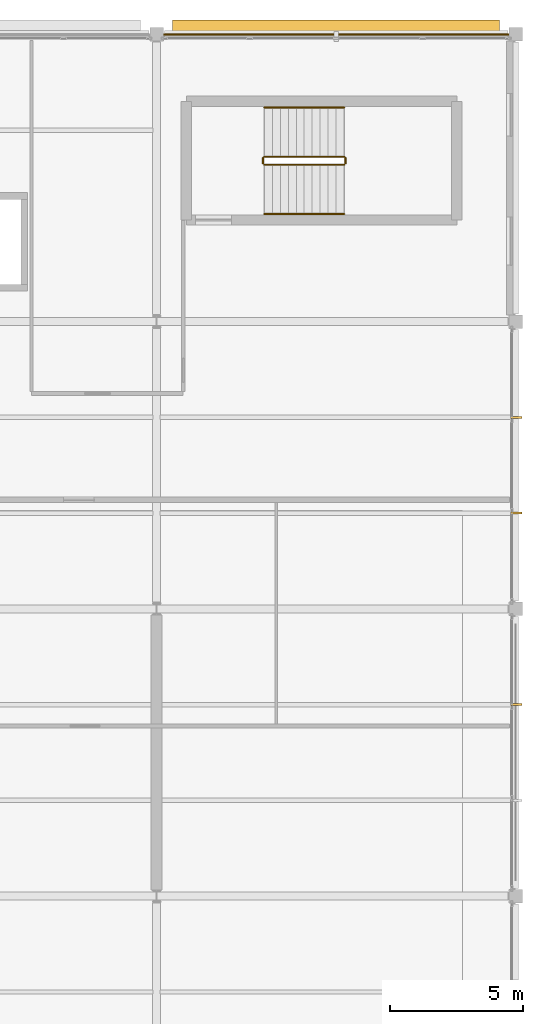
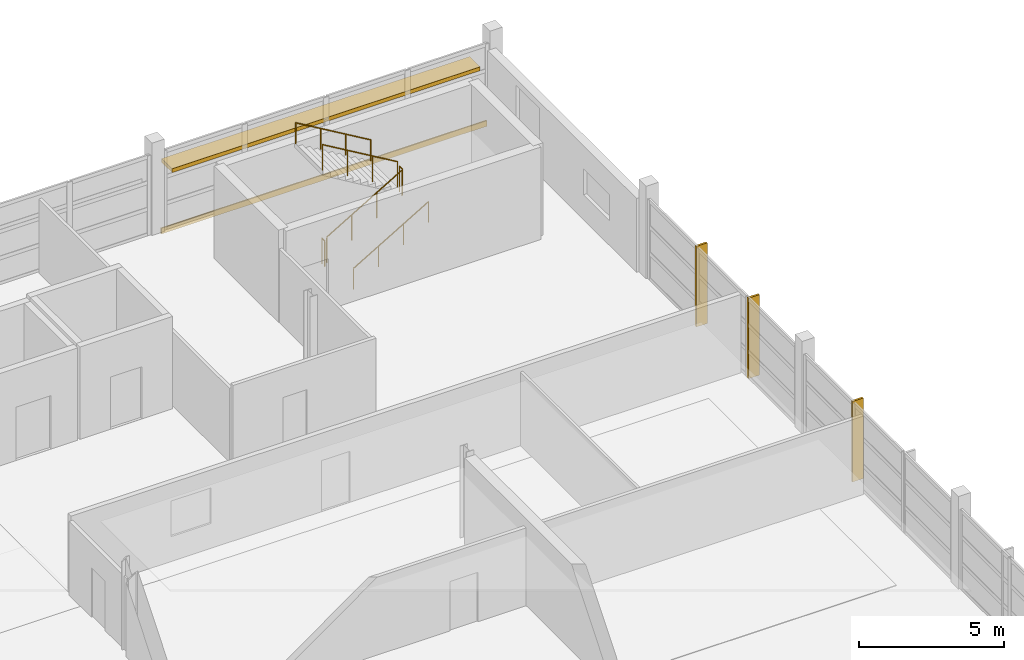
# One storey, part 110 of 110: 6 railings, 4 shading devices, 1 covering.
"""IFC4 building model written with IfcOpenShell, lengths in metres."""

import ifcopenshell
import ifcopenshell.guid

model = None  # the IFC model being written
_history = None  # IfcOwnerHistory: only IFC2X3 demands one
_inside = {}  # id of a spatial element -> (the spatial element, [elements in it])
_under = {}  # id of a project, library or spatial element -> (it, [spatial elements below it])
_declared = {}  # id of a project -> (the project, [libraries it declares])
_typed = {}  # id of a type object -> (the type object, [elements of that type])
_made_of = {}  # id of a material, layer set ... -> (it, [elements and type objects made of it])


def new_model(schema):
    """Start an empty IFC model of exactly this schema.

    Asked for "IFC4X3", IfcOpenShell would pick the latest addendum, in which some entities
    have other attributes; the version numbers below select the first issue.
    IFC2X3 requires an IfcOwnerHistory on every rooted entity: one is made here for all.
    """
    global model, _history
    if schema == "IFC4X3":
        model = ifcopenshell.file(schema_version=(4, 3, 0, 0))
    else:
        model = ifcopenshell.file(schema=schema)
    _inside.clear()
    _under.clear()
    _declared.clear()
    _typed.clear()
    _made_of.clear()
    _history = None
    if model.schema == "IFC2X3":
        org = make("IfcOrganization", Name="unknown")
        user = make(
            "IfcPersonAndOrganization",
            ThePerson=make("IfcPerson", FamilyName="unknown"),
            TheOrganization=org,
        )
        app = make(
            "IfcApplication",
            ApplicationDeveloper=org,
            Version="unknown",
            ApplicationFullName="unknown",
            ApplicationIdentifier="unknown",
        )
        _history = make(
            "IfcOwnerHistory",
            OwningUser=user,
            OwningApplication=app,
            ChangeAction="ADDED",
            CreationDate=0,
        )
    return model


def make(cls, **values):
    """One entity of the class cls with the attributes given. An attribute that is None is left unset."""
    return model.create_entity(
        cls, **{name: value for name, value in values.items() if value is not None}
    )


def rooted(cls, **values):
    """An entity with a GlobalId (a new one), such as an element, a storey or a relation."""
    return make(cls, GlobalId=ifcopenshell.guid.new(), OwnerHistory=_history, **values)


def si_unit(unit_type, name, prefix=None):
    """IfcSIUnit, for example si_unit("LENGTHUNIT", "METRE", prefix="MILLI")."""
    return make("IfcSIUnit", UnitType=unit_type, Prefix=prefix, Name=name)


def assignment(units):
    """IfcUnitAssignment: the units of a project."""
    return None if units is None else make("IfcUnitAssignment", Units=units)


def point(xyz):
    """IfcCartesianPoint."""
    return None if xyz is None else make("IfcCartesianPoint", Coordinates=xyz)


def direction(xyz):
    """IfcDirection."""
    return None if xyz is None else make("IfcDirection", DirectionRatios=xyz)


def frame(location, z_axis=None, x_axis=None):
    """IfcAxis2Placement3D, a coordinate frame: its origin and axes. An axis left out is left unset."""
    return make(
        "IfcAxis2Placement3D",
        Location=point(location),
        Axis=direction(z_axis),
        RefDirection=direction(x_axis),
    )


def frame_2d(location, x_axis=None):
    """IfcAxis2Placement2D, a coordinate frame in the plane: its origin and x axis."""
    return make(
        "IfcAxis2Placement2D", Location=point(location), RefDirection=direction(x_axis)
    )


def origin():
    """The frame at (0, 0, 0) with its axes left unset."""
    return frame((0.0, 0.0, 0.0))


def origin_2d():
    """The frame at (0, 0) in the plane with its x axis left unset."""
    return frame_2d((0.0, 0.0))


def place(relative_to, where):
    """IfcLocalPlacement: puts the frame where relative to a parent placement (None: the world)."""
    return make(
        "IfcLocalPlacement", PlacementRelTo=relative_to, RelativePlacement=where
    )


def context(
    kind, dimensions, precision=None, world=None, true_north=None, identifier=None
):
    """IfcGeometricRepresentationContext, for example the 3D "Model" context."""
    return make(
        "IfcGeometricRepresentationContext",
        ContextIdentifier=identifier,
        ContextType=kind,
        CoordinateSpaceDimension=dimensions,
        Precision=precision,
        WorldCoordinateSystem=world,
        TrueNorth=true_north,
    )


def subcontext(parent, identifier, kind, view, scale=None):
    """IfcGeometricRepresentationSubContext, for example "Body" below "Model"."""
    return make(
        "IfcGeometricRepresentationSubContext",
        ContextIdentifier=identifier,
        ContextType=kind,
        ParentContext=parent,
        TargetScale=scale,
        TargetView=view,
    )


def project(units=None, contexts=None):
    """IfcProject with its units and contexts."""
    return rooted(
        "IfcProject",
        Name="project",
        RepresentationContexts=contexts,
        UnitsInContext=assignment(units),
    )


def spatial(cls, under=None, at=None, **own):
    """A site, building, storey or space (cls), placed at a placement, below another one or the project."""
    s = rooted(cls, ObjectPlacement=at, **own)
    if under is not None:
        _under.setdefault(under.id(), (under, []))[1].append(s)
    return s


def profile(cls, at=None, kind="AREA", **sizes):
    """A parametric profile (cls). Its sizes go by their IFC names, for example OverallWidth=200.0."""
    return make(cls, ProfileType=kind, Position=at, **sizes)


def rectangle(**sizes):
    """IfcRectangleProfileDef."""
    return profile("IfcRectangleProfileDef", **sizes)


def circle(**sizes):
    """IfcCircleProfileDef."""
    return profile("IfcCircleProfileDef", **sizes)


def extrude(swept, where, along, depth):
    """IfcExtrudedAreaSolid: the profile swept, set in the frame where, extruded along a direction by depth."""
    return make(
        "IfcExtrudedAreaSolid",
        SweptArea=swept,
        Position=where,
        ExtrudedDirection=direction(along),
        Depth=depth,
    )


def shape(context_of_items, identifier, shape_type, items):
    """IfcShapeRepresentation: the items that make up one representation, for example the "Body"."""
    return make(
        "IfcShapeRepresentation",
        ContextOfItems=context_of_items,
        RepresentationIdentifier=identifier,
        RepresentationType=shape_type,
        Items=items,
    )


def material(Name=None, Category=None):
    """IfcMaterial."""
    return make("IfcMaterial", Name=Name, Category=Category)


def layer(
    of_material, thickness, ventilated=None, Name=None, Category=None, Priority=None
):
    """IfcMaterialLayer: one layer of a wall or slab, of a material (None: an air gap)."""
    return make(
        "IfcMaterialLayer",
        Material=of_material,
        LayerThickness=thickness,
        IsVentilated=ventilated,
        Name=Name,
        Category=Category,
        Priority=Priority,
    )


def layer_set(layers, Name=None):
    """IfcMaterialLayerSet."""
    return make("IfcMaterialLayerSet", MaterialLayers=layers, LayerSetName=Name)


def made_of(thing, what):
    """Note that an element or type object is made of a material, layer set ...; save() writes the relation."""
    if what is not None:
        _made_of.setdefault(what.id(), (what, []))[1].append(thing)
    return thing


def type_object(cls, material=None, **own):
    """A type object (cls), such as IfcWallType, which elements share."""
    return made_of(rooted(cls, **own), material)


def element(
    cls,
    number,
    at=None,
    inside=None,
    cuts=None,
    type_object=None,
    material=None,
    context=None,
    identifier="Body",
    shape_type=None,
    held_by="IfcProductDefinitionShape",
    body=None,
    shapes=None,
    **own,
):
    """One element of the class cls, such as IfcWall. Its Tag is "e" and its number.

    at: its placement. inside: the storey or other place that contains it. cuts: it is an
    opening in that element (IfcRelVoidsElement). A single representation is given by context,
    identifier, shape_type and body (its items); several are given by shapes. held_by: the class
    of the entity that holds the representations. save() writes the other relations.
    """
    e = rooted(cls, Tag="e%d" % number, ObjectPlacement=at, **own)
    if body is not None:
        shapes = [shape(context, identifier, shape_type, body)]
    if shapes is not None:
        e.Representation = make(held_by, Representations=shapes)
    if inside is not None:
        _inside.setdefault(inside.id(), (inside, []))[1].append(e)
    if cuts is not None:
        rooted(
            "IfcRelVoidsElement", RelatingBuildingElement=cuts, RelatedOpeningElement=e
        )
    if type_object is not None:
        _typed.setdefault(type_object.id(), (type_object, []))[1].append(e)
    return made_of(e, material)


def aggregate(whole, parts):
    """IfcRelAggregates: a whole, such as a stair, and the parts it consists of."""
    return rooted("IfcRelAggregates", RelatingObject=whole, RelatedObjects=parts)


def save(model, path):
    """Write the relations noted so far, then the file.

    IfcRelAggregates (storeys below a building ...), IfcRelContainedInSpatialStructure (elements
    in a storey), IfcRelDefinesByType, IfcRelAssociatesMaterial and IfcRelDeclares: one each for
    every whole, place, type object, material and project.
    """
    for whole, parts in _under.values():
        aggregate(whole, parts)
    for where, things in _inside.values():
        rooted(
            "IfcRelContainedInSpatialStructure",
            RelatedElements=things,
            RelatingStructure=where,
        )
    for kind, things in _typed.values():
        rooted("IfcRelDefinesByType", RelatedObjects=things, RelatingType=kind)
    for what, things in _made_of.values():
        rooted("IfcRelAssociatesMaterial", RelatedObjects=things, RelatingMaterial=what)
    for by, libraries in _declared.values():
        rooted("IfcRelDeclares", RelatingContext=by, RelatedDefinitions=libraries)
    model.write(path)


model = new_model("IFC4")

# Units and contexts
model_context = context("Model", 3, precision=1e-05, world=origin(), true_north=direction((0.0, 1.0)))
body_context = subcontext(model_context, "Body", "Model", "MODEL_VIEW")
ifc_project = project(units=[si_unit("LENGTHUNIT", "METRE"), si_unit("AREAUNIT", "SQUARE_METRE"), si_unit("VOLUMEUNIT", "CUBIC_METRE"), si_unit("PLANEANGLEUNIT", "RADIAN"), si_unit("MASSUNIT", "GRAM", prefix="KILO")], contexts=[model_context])

# Site, building, storey
site_placement = place(None, origin())
site = spatial("IfcSite", under=ifc_project, at=site_placement, CompositionType="ELEMENT")
building_placement = place(site_placement, origin())
building = spatial("IfcBuilding", under=site, at=building_placement, Name="Tamarisk Ironworks Central Station", CompositionType="ELEMENT")
storey_placement = place(building_placement, frame((0.0, 0.0, 17.39990234375)))
storey = spatial("IfcBuildingStorey", under=building, at=storey_placement, Name="L03", CompositionType="ELEMENT", Elevation=17.39990234375)

# Covering
ifc_material_1 = material(Name="Clay facing brickwork and mortar", Category="masonry")
ifc_layer = layer(ifc_material_1, 0.050048828125)
ifc_layer_set = layer_set([ifc_layer], Name="Clay facing brickwork and mortar")
covering_type = type_object("IfcCoveringType", Name="COV-CLAD", PredefinedType="CLADDING", material=ifc_layer_set)
covering_placement = place(storey_placement, frame((173.25, 122.389892578125, -0.23974609375), z_axis=(0.0, 0.0, 1.0), x_axis=(1.0, 0.0, 0.0)))
element("IfcCovering", 1, at=covering_placement, inside=storey, type_object=covering_type, Name="L03 terracotta slab-edge spandrel cladding 018", PredefinedType="CLADDING", context=body_context, shape_type="SweptSolid", body=[
    extrude(rectangle(XDim=13.0, YDim=0.050048828125, at=origin_2d()), origin(), (0.0, 0.0, 1.0), 0.239990234375),
])

# Railings
ifc_material_2 = material(Name="Brushed stainless steel AISI 316", Category="steel")
railing_type_1 = type_object("IfcRailingType", Name="RL-GUARD-INT", PredefinedType="BALUSTRADE", material=ifc_material_2)
railing_1_placement = place(storey_placement, frame((170.550048828125, 117.5, 0.177490234375)))
element("IfcRailing", 2, at=railing_1_placement, inside=storey, type_object=railing_type_1, Name="L03 ST-C2 stair guard 1", PredefinedType="BALUSTRADE", context=body_context, shape_type="SweptSolid", body=[
    extrude(circle(Radius=0.02392578125, at=origin_2d()), frame((0.0, 0.0, 1.076171875), z_axis=(0.86092931783, 0.0, 0.508724591208), x_axis=(0.0, 1.0, 0.0)), (0.0, 0.0, 1.0), 3.484619140625),
    extrude(circle(Radius=0.02099609375, at=origin_2d()), origin(), (0.0, 0.0, 1.0), 1.052001953125),
    extrude(circle(Radius=0.02099609375, at=origin_2d()), frame((1.0, 0.0, 0.5908203125)), (0.0, 0.0, 1.0), 1.052001953125),
    extrude(circle(Radius=0.02099609375, at=origin_2d()), frame((2.0, 0.0, 1.181884765625)), (0.0, 0.0, 1.0), 1.052001953125),
    extrude(circle(Radius=0.02099609375, at=origin_2d()), frame((3.0, 0.0, 1.772705078125)), (0.0, 0.0, 1.0), 1.052001953125),
])
railing_2_placement = place(storey_placement, frame((173.60009765625, 117.550048828125, 1.9501953125)))
element("IfcRailing", 3, at=railing_2_placement, inside=storey, type_object=railing_type_1, Name="L03 ST-C2 stair guard 2", PredefinedType="BALUSTRADE", context=body_context, shape_type="SweptSolid", body=[
    extrude(circle(Radius=0.02392578125, at=origin_2d()), frame((0.0, 0.0, 1.076171875), z_axis=(0.0, 1.0, 0.0), x_axis=(-1.0, 0.0, 0.0)), (0.0, 0.0, 1.0), 0.199951171875),
    extrude(circle(Radius=0.02099609375, at=origin_2d()), origin(), (0.0, 0.0, 1.0), 1.052001953125),
    extrude(circle(Radius=0.02099609375, at=origin_2d()), frame((0.0, 0.199951171875, 0.0)), (0.0, 0.0, 1.0), 1.052001953125),
])
railing_3_placement = place(storey_placement, frame((173.550048828125, 117.800048828125, 2.12744140625)))
element("IfcRailing", 4, at=railing_3_placement, inside=storey, type_object=railing_type_1, Name="L03 ST-C2 stair guard 3", PredefinedType="BALUSTRADE", context=body_context, shape_type="SweptSolid", body=[
    extrude(circle(Radius=0.02392578125, at=origin_2d()), frame((0.0, 0.0, 1.076171875), z_axis=(-0.86092931783, 0.0, 0.508724591208), x_axis=(0.0, -1.0, 0.0)), (0.0, 0.0, 1.0), 3.484619140625),
    extrude(circle(Radius=0.02099609375, at=origin_2d()), origin(), (0.0, 0.0, 1.0), 1.052001953125),
    extrude(circle(Radius=0.02099609375, at=origin_2d()), frame((-1.0, 0.0, 0.5908203125)), (0.0, 0.0, 1.0), 1.052001953125),
    extrude(circle(Radius=0.02099609375, at=origin_2d()), frame((-2.0, 0.0, 1.181884765625)), (0.0, 0.0, 1.0), 1.052001953125),
    extrude(circle(Radius=0.02099609375, at=origin_2d()), frame((-3.0, 0.0, 1.772705078125)), (0.0, 0.0, 1.0), 1.052001953125),
])
railing_4_placement = place(storey_placement, frame((170.5, 117.550048828125, 0.0)))
element("IfcRailing", 5, at=railing_4_placement, inside=storey, type_object=railing_type_1, Name="L03 ST-C2 stair guard 4", PredefinedType="BALUSTRADE", context=body_context, shape_type="SweptSolid", body=[
    extrude(circle(Radius=0.02392578125, at=origin_2d()), frame((0.0, 0.0, 1.076171875), z_axis=(0.0, 1.0, 0.0), x_axis=(-1.0, 0.0, 0.0)), (0.0, 0.0, 1.0), 0.199951171875),
    extrude(circle(Radius=0.02099609375, at=origin_2d()), origin(), (0.0, 0.0, 1.0), 1.052001953125),
    extrude(circle(Radius=0.02099609375, at=origin_2d()), frame((0.0, 0.199951171875, 0.0)), (0.0, 0.0, 1.0), 1.052001953125),
])
railing_type_2 = type_object("IfcRailingType", Name="RL-HAND", PredefinedType="HANDRAIL", material=ifc_material_2)
railing_5_placement = place(storey_placement, frame((170.550048828125, 115.64990234375, 0.177490234375)))
element("IfcRailing", 6, at=railing_5_placement, inside=storey, type_object=railing_type_2, Name="L03 ST-C2 stair handrail 1", PredefinedType="HANDRAIL", context=body_context, shape_type="SweptSolid", body=[
    extrude(circle(Radius=0.02392578125, at=origin_2d()), frame((0.0, 0.0, 0.8759765625), z_axis=(0.86092931783, 0.0, 0.508724591208), x_axis=(0.0, 1.0, 0.0)), (0.0, 0.0, 1.0), 3.484619140625),
    extrude(circle(Radius=0.02099609375, at=origin_2d()), origin(), (0.0, 0.0, 1.0), 0.851806640625),
    extrude(circle(Radius=0.02099609375, at=origin_2d()), frame((1.0, 0.0, 0.5908203125)), (0.0, 0.0, 1.0), 0.851806640625),
    extrude(circle(Radius=0.02099609375, at=origin_2d()), frame((2.0, 0.0, 1.181884765625)), (0.0, 0.0, 1.0), 0.851806640625),
    extrude(circle(Radius=0.02099609375, at=origin_2d()), frame((3.0, 0.0, 1.772705078125)), (0.0, 0.0, 1.0), 0.851806640625),
])
railing_6_placement = place(storey_placement, frame((173.550048828125, 119.64990234375, 2.12744140625)))
element("IfcRailing", 7, at=railing_6_placement, inside=storey, type_object=railing_type_2, Name="L03 ST-C2 stair handrail 2", PredefinedType="HANDRAIL", context=body_context, shape_type="SweptSolid", body=[
    extrude(circle(Radius=0.02392578125, at=origin_2d()), frame((0.0, 0.0, 0.8759765625), z_axis=(-0.86092931783, 0.0, 0.508724591208), x_axis=(0.0, -1.0, 0.0)), (0.0, 0.0, 1.0), 3.484619140625),
    extrude(circle(Radius=0.02099609375, at=origin_2d()), origin(), (0.0, 0.0, 1.0), 0.851806640625),
    extrude(circle(Radius=0.02099609375, at=origin_2d()), frame((-1.0, 0.0, 0.5908203125)), (0.0, 0.0, 1.0), 0.851806640625),
    extrude(circle(Radius=0.02099609375, at=origin_2d()), frame((-2.0, 0.0, 1.181884765625)), (0.0, 0.0, 1.0), 0.851806640625),
    extrude(circle(Radius=0.02099609375, at=origin_2d()), frame((-3.0, 0.0, 1.772705078125)), (0.0, 0.0, 1.0), 0.851806640625),
])

# Shading devices
ifc_material_3 = material(Name="Anodized aluminium alloy 6063-T6", Category="aluminium")
shading_device_type_1 = type_object("IfcShadingDeviceType", Name="SHD-FN01", PredefinedType="USERDEFINED", material=ifc_material_3)
for number, where, z_axis, x_axis, name in (
    (8, (180.02001953125, 97.199951171875, 0.000244140625), (0.0, 0.0, 1.0), (1.0, 0.0, 0.0), "L03 east vertical solar brise-soleil fin 034"),
    (9, (180.02001953125, 104.39990234375, 0.000244140625), (0.0, 0.0, 1.0), (1.0, 0.0, 0.0), "L03 east vertical solar brise-soleil fin 035"),
    (10, (180.02001953125, 108.0, 0.000244140625), (0.0, 0.0, 1.0), (1.0, 0.0, 0.0), "L03 east vertical solar brise-soleil fin 036"),
):
    element("IfcShadingDevice", number, at=place(storey_placement, frame(where, z_axis=z_axis, x_axis=x_axis)), inside=storey, type_object=shading_device_type_1, Name=name, ObjectType="BRISE SOLEIL FIN", PredefinedType="USERDEFINED", context=body_context, shape_type="SweptSolid", body=[
        extrude(rectangle(XDim=0.43994140625, YDim=0.080078125, at=origin_2d()), origin(), (0.0, 0.0, 1.0), 3.39990234375),
    ])
shading_device_type_2 = type_object("IfcShadingDeviceType", Name="SHD-LV02", PredefinedType="JALOUSIE", material=ifc_material_3)
shading_device_placement = place(storey_placement, frame((173.25, 122.580078125, 2.3203125), z_axis=(0.0, 0.0, 1.0), x_axis=(1.0, 0.0, 0.0)))
element("IfcShadingDevice", 11, at=shading_device_placement, inside=storey, type_object=shading_device_type_2, Name="L03 north horizontal solar jalousie canopy 011", PredefinedType="JALOUSIE", context=body_context, shape_type="SweptSolid", body=[
    extrude(rectangle(XDim=12.300048828125, YDim=0.719970703125, at=origin_2d()), origin(), (0.0, 0.0, 1.0), 0.159912109375),
])

save(model, "model.ifc")
